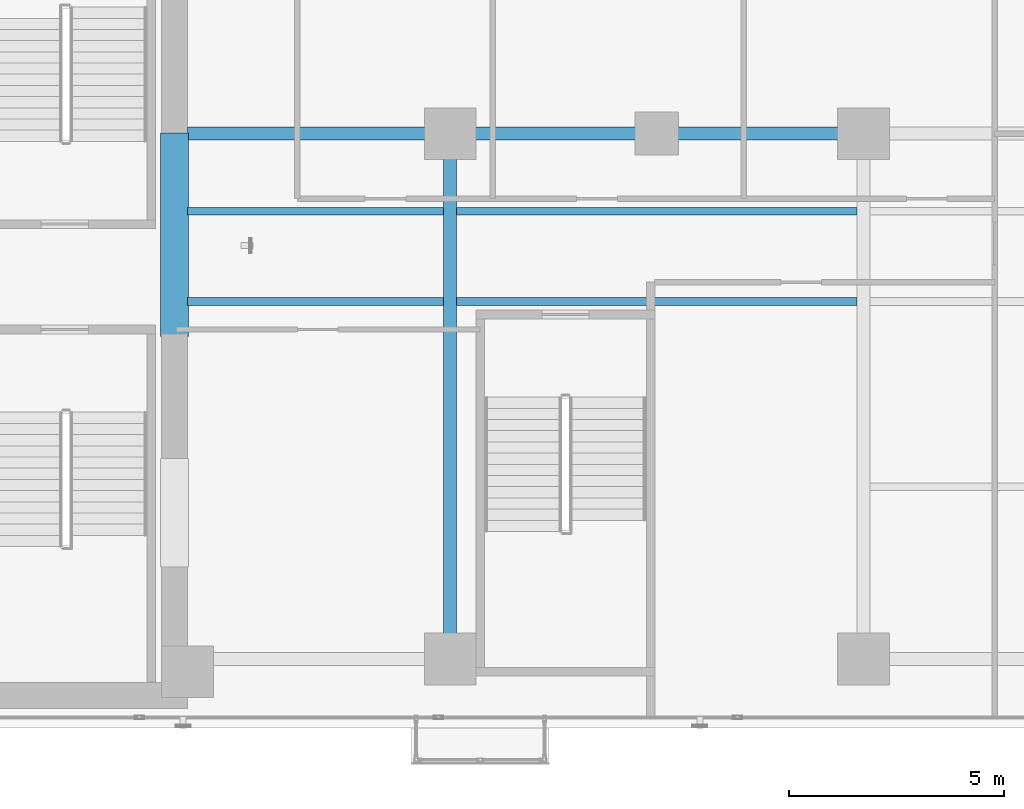
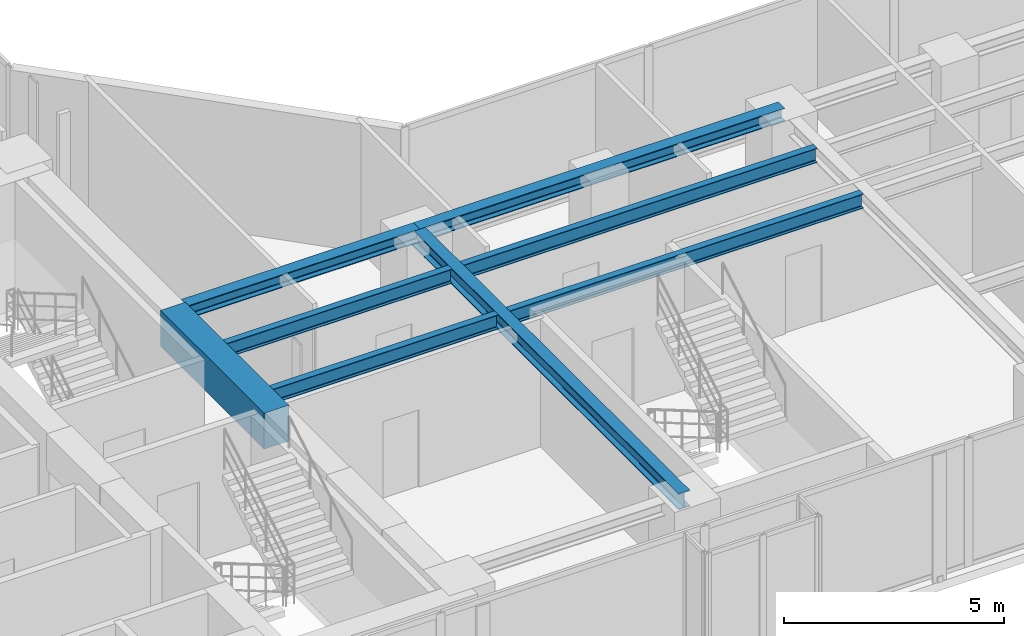
# One storey, part 5 of 24: 8 beams.
"""IFC4 building model written with IfcOpenShell, lengths in metres."""

from ifc_helpers import new_model, si_unit, direction, frame, origin, origin_2d, place, context, subcontext, project, spatial, rectangle, i_section, extrude, material, material_profile, profile_set, type_object, element, save


model = new_model("IFC4")

# Units and contexts
model_context = context("Model", 3, precision=1e-05, world=origin(), true_north=direction((0.0, 1.0)))
body_context = subcontext(model_context, "Body", "Model", "MODEL_VIEW")
ifc_project = project(units=[si_unit("LENGTHUNIT", "METRE"), si_unit("AREAUNIT", "SQUARE_METRE"), si_unit("VOLUMEUNIT", "CUBIC_METRE"), si_unit("PLANEANGLEUNIT", "RADIAN"), si_unit("MASSUNIT", "GRAM", prefix="KILO")], contexts=[model_context])

# Site, building, storey
site_placement = place(None, origin())
site = spatial("IfcSite", under=ifc_project, at=site_placement, CompositionType="ELEMENT")
building_placement = place(site_placement, origin())
building = spatial("IfcBuilding", under=site, at=building_placement, Name="Kolvaren Waterfront Exchange", CompositionType="ELEMENT")
storey_placement = place(building_placement, frame((0.0, 0.0, 153.800048828125)))
storey = spatial("IfcBuildingStorey", under=building, at=storey_placement, Name="L39", CompositionType="ELEMENT", Elevation=153.800048828125)

# Beams
ifc_material_1 = material(Name="Steel S355", Category="steel")
ifc_material_profile_1 = material_profile(ifc_material_1, i_section(OverallWidth=0.300048828125, OverallDepth=0.360107421875, WebThickness=0.012451171875, FlangeThickness=0.0224609375, FilletRadius=0.027099609375, at=origin_2d()), Name="HEB360")
ifc_profile_set_1 = profile_set([ifc_material_profile_1], Name="Steel S355")
beam_type_1 = type_object("IfcBeamType", Name="STR-BM-HEB360", PredefinedType="SPANDREL", material=ifc_profile_set_1)
beam_1_placement = place(storey_placement, frame((21.10009765625, 17.39990234375, 3.3798828125), z_axis=(1.0, 0.0, 0.0), x_axis=(0.0, 1.0, 0.0)))
element("IfcBeam", 1, at=beam_1_placement, inside=storey, type_object=beam_type_1, Name="L39 east-arm spandrel N1", PredefinedType="SPANDREL", context=body_context, shape_type="SweptSolid", body=[
    extrude(i_section(OverallWidth=0.300048828125, OverallDepth=0.360107421875, WebThickness=0.012451171875, FlangeThickness=0.0224609375, FilletRadius=0.027099609375, at=origin_2d()), origin(), (0.0, 0.0, 1.0), 6.099853515625),
])
beam_2_placement = place(storey_placement, frame((27.199951171875, 17.39990234375, 3.3798828125), z_axis=(1.0, 0.0, 0.0), x_axis=(0.0, 1.0, 0.0)))
element("IfcBeam", 2, at=beam_2_placement, inside=storey, type_object=beam_type_1, Name="L39 east-arm spandrel N2", PredefinedType="SPANDREL", context=body_context, shape_type="SweptSolid", body=[
    extrude(i_section(OverallWidth=0.300048828125, OverallDepth=0.360107421875, WebThickness=0.012451171875, FlangeThickness=0.0224609375, FilletRadius=0.027099609375, at=origin_2d()), origin(), (0.0, 0.0, 1.0), 9.60009765625),
])
ifc_material_profile_2 = material_profile(ifc_material_1, i_section(OverallWidth=0.300048828125, OverallDepth=0.449951171875, WebThickness=0.013916015625, FlangeThickness=0.02587890625, FilletRadius=0.027099609375, at=origin_2d()), Name="HEB450")
ifc_profile_set_2 = profile_set([ifc_material_profile_2], Name="Steel S355")
beam_type_2 = type_object("IfcBeamType", Name="STR-BM-HEB450", PredefinedType="BEAM", material=ifc_profile_set_2)
beam_3_placement = place(storey_placement, frame((27.199951171875, 5.199951171875, 3.3349609375), z_axis=(0.0, 1.0, 0.0), x_axis=(-1.0, 0.0, 0.0)))
element("IfcBeam", 3, at=beam_3_placement, inside=storey, type_object=beam_type_2, Name="L39 east-arm transverse girder X27", PredefinedType="BEAM", context=body_context, shape_type="SweptSolid", body=[
    extrude(i_section(OverallWidth=0.300048828125, OverallDepth=0.449951171875, WebThickness=0.013916015625, FlangeThickness=0.02587890625, FilletRadius=0.027099609375, at=origin_2d()), origin(), (0.0, 0.0, 1.0), 12.199951171875),
])
ifc_material_profile_3 = material_profile(ifc_material_1, i_section(OverallWidth=0.179931640625, OverallDepth=0.39990234375, WebThickness=0.008544921875, FlangeThickness=0.013427734375, FilletRadius=0.02099609375, at=origin_2d()), Name="IPE400")
ifc_profile_set_3 = profile_set([ifc_material_profile_3], Name="Steel S355")
beam_type_3 = type_object("IfcBeamType", Name="STR-BM-IPE400", PredefinedType="JOIST", material=ifc_profile_set_3)
for number, where, z_axis, x_axis, name in (
    (4, (21.10009765625, 13.5, 3.35986328125), (1.0, 0.0, 0.0), (0.0, 1.0, 0.0), "L39 east-arm composite joist 1A"),
    (5, (21.10009765625, 15.60009765625, 3.35986328125), (1.0, 0.0, 0.0), (0.0, 1.0, 0.0), "L39 east-arm composite joist 1C"),
):
    element("IfcBeam", number, at=place(storey_placement, frame(where, z_axis=z_axis, x_axis=x_axis)), inside=storey, type_object=beam_type_3, Name=name, PredefinedType="JOIST", context=body_context, shape_type="SweptSolid", body=[
        extrude(i_section(OverallWidth=0.179931640625, OverallDepth=0.39990234375, WebThickness=0.008544921875, FlangeThickness=0.013427734375, FilletRadius=0.02099609375, at=origin_2d()), origin(), (0.0, 0.0, 1.0), 5.947998046875),
    ])
for number, where, z_axis, x_axis, name in (
    (6, (27.35205078125, 13.5, 3.35986328125), (1.0, 0.0, 0.0), (0.0, 1.0, 0.0), "L39 east-arm composite joist 2A"),
    (7, (27.35205078125, 15.60009765625, 3.35986328125), (1.0, 0.0, 0.0), (0.0, 1.0, 0.0), "L39 east-arm composite joist 2C"),
):
    element("IfcBeam", number, at=place(storey_placement, frame(where, z_axis=z_axis, x_axis=x_axis)), inside=storey, type_object=beam_type_3, Name=name, PredefinedType="JOIST", context=body_context, shape_type="SweptSolid", body=[
        extrude(i_section(OverallWidth=0.179931640625, OverallDepth=0.39990234375, WebThickness=0.008544921875, FlangeThickness=0.013427734375, FilletRadius=0.02099609375, at=origin_2d()), origin(), (0.0, 0.0, 1.0), 9.2958984375),
    ])
ifc_material_2 = material(Name="Concrete C60/75", Category="concrete")
ifc_material_profile_4 = material_profile(ifc_material_2, rectangle(XDim=0.64990234375, YDim=1.0, at=origin_2d()), Name="RC-CB-1000x650")
ifc_profile_set_4 = profile_set([ifc_material_profile_4], Name="Concrete C60/75")
beam_type_4 = type_object("IfcBeamType", Name="STR-CB-1000", PredefinedType="SPANDREL", material=ifc_profile_set_4)
beam_4_placement = place(storey_placement, frame((20.800048828125, 12.68994140625, 3.06005859375), z_axis=(0.0, 1.0, 0.0), x_axis=(-1.0, 0.0, 0.0)))
element("IfcBeam", 8, at=beam_4_placement, inside=storey, type_object=beam_type_4, Name="L39 core coupling beam 2", PredefinedType="SPANDREL", context=body_context, shape_type="SweptSolid", body=[
    extrude(rectangle(XDim=0.64990234375, YDim=1.0, at=origin_2d()), origin(), (0.0, 0.0, 1.0), 4.719970703125),
])

save(model, "model.ifc")
